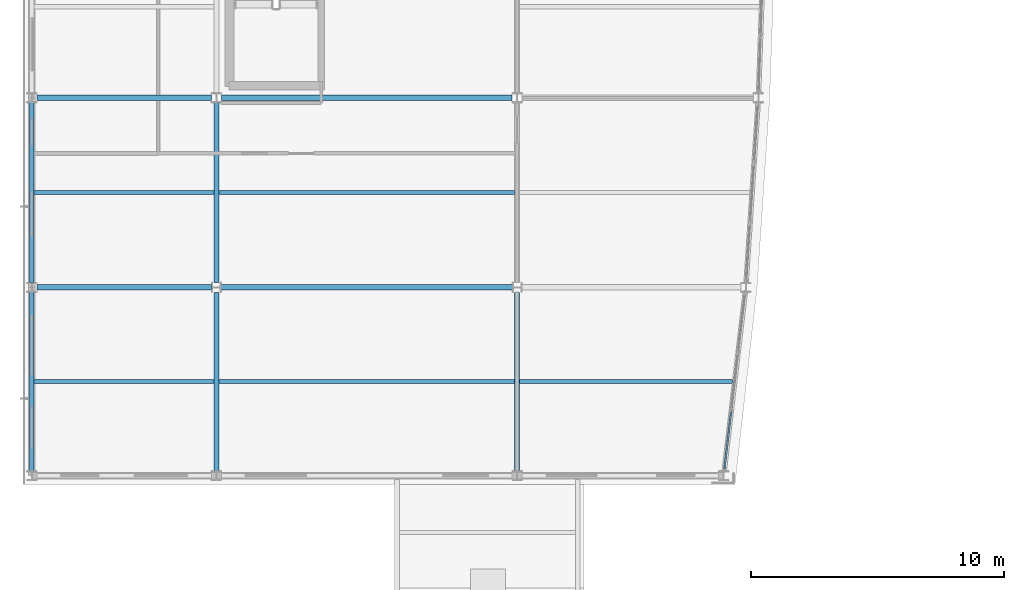
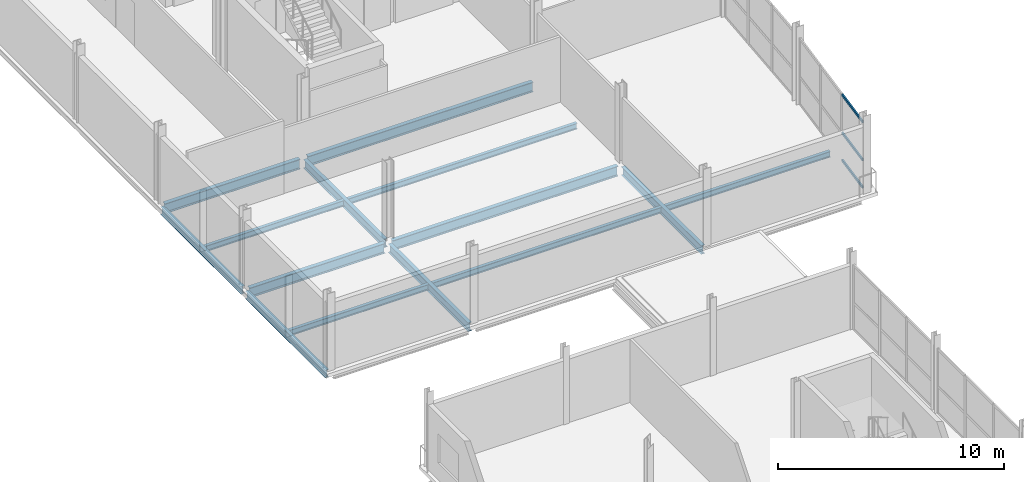
# One storey, part 15 of 65: 14 beams, 3 members, 1 element without a shape of its own.
"""IFC4 building model written with IfcOpenShell, lengths in metres."""

from ifc_helpers import new_model, si_unit, direction, frame, origin, origin_2d, place, context, subcontext, project, spatial, hollow_rectangle, i_section, extrude, material, layer, layer_set, material_profile, profile_set, type_object, element, aggregate, save


model = new_model("IFC4")

# Units and contexts
model_context = context("Model", 3, precision=1e-05, world=origin(), true_north=direction((0.0, 1.0)))
body_context = subcontext(model_context, "Body", "Model", "MODEL_VIEW")
ifc_project = project(units=[si_unit("LENGTHUNIT", "METRE"), si_unit("AREAUNIT", "SQUARE_METRE"), si_unit("VOLUMEUNIT", "CUBIC_METRE"), si_unit("PLANEANGLEUNIT", "RADIAN"), si_unit("MASSUNIT", "GRAM", prefix="KILO")], contexts=[model_context])

# Site, building, storey
site_placement = place(None, origin())
site = spatial("IfcSite", under=ifc_project, at=site_placement, CompositionType="ELEMENT")
building_placement = place(site_placement, origin())
building = spatial("IfcBuilding", under=site, at=building_placement, Name="Quillay Park Conservatory", CompositionType="ELEMENT")
storey_placement = place(building_placement, frame((0.0, 0.0, 14.10009765625)))
storey = spatial("IfcBuildingStorey", under=building, at=storey_placement, Name="L03", CompositionType="ELEMENT", Elevation=14.10009765625)

# Beams
ifc_material_1 = material(Name="Steel ASTM A992 Grade 50", Category="steel")
ifc_material_profile_1 = material_profile(ifc_material_1, i_section(OverallWidth=0.166015625, OverallDepth=0.31298828125, WebThickness=0.006591796875, FlangeThickness=0.01123046875, FilletRadius=0.010009765625, at=origin_2d()), Name="W310x45")
ifc_profile_set_1 = profile_set([ifc_material_profile_1], Name="Steel ASTM A992 Grade 50")
beam_type_1 = type_object("IfcBeamType", Name="COMPOSITE FLOOR JOIST W310 X45", PredefinedType="JOIST", material=ifc_profile_set_1)
beam_1_placement = place(storey_placement, frame((0.639892578125, 66.77490234375, -0.341552734375), z_axis=(1.0, 0.0, 0.0), x_axis=(0.0, 1.0, 0.0)))
element("IfcBeam", 1, at=beam_1_placement, inside=storey, type_object=beam_type_1, Name="L03 beam BM-J-0270", PredefinedType="JOIST", context=body_context, shape_type="SweptSolid", body=[
    extrude(i_section(OverallWidth=0.166015625, OverallDepth=0.31298828125, WebThickness=0.006591796875, FlangeThickness=0.01123046875, FilletRadius=0.010009765625, at=origin_2d()), origin(), (0.0, 0.0, 1.0), 7.114013671875),
])
beam_2_placement = place(storey_placement, frame((19.845947265625, 66.77490234375, -0.341552734375), z_axis=(1.0, 0.0, 0.0), x_axis=(0.0, 1.0, 0.0)))
element("IfcBeam", 2, at=beam_2_placement, inside=storey, type_object=beam_type_1, Name="L03 beam BM-J-0271", PredefinedType="JOIST", context=body_context, shape_type="SweptSolid", body=[
    extrude(i_section(OverallWidth=0.166015625, OverallDepth=0.31298828125, WebThickness=0.006591796875, FlangeThickness=0.01123046875, FilletRadius=0.010009765625, at=origin_2d()), origin(), (0.0, 0.0, 1.0), 8.426513671875),
])
beam_3_placement = place(storey_placement, frame((7.946044921875, 66.77490234375, -0.341552734375), z_axis=(1.0, 0.0, 0.0), x_axis=(0.0, 1.0, 0.0)))
element("IfcBeam", 3, at=beam_3_placement, inside=storey, type_object=beam_type_1, Name="L03 beam BM-J-0272", PredefinedType="JOIST", context=body_context, shape_type="SweptSolid", body=[
    extrude(i_section(OverallWidth=0.166015625, OverallDepth=0.31298828125, WebThickness=0.006591796875, FlangeThickness=0.01123046875, FilletRadius=0.010009765625, at=origin_2d()), origin(), (0.0, 0.0, 1.0), 11.7080078125),
])
beam_4_placement = place(storey_placement, frame((0.639892578125, 74.25, -0.341552734375), z_axis=(1.0, 0.0, 0.0), x_axis=(0.0, 1.0, 0.0)))
element("IfcBeam", 4, at=beam_4_placement, inside=storey, type_object=beam_type_1, Name="L03 beam BM-J-0277", PredefinedType="JOIST", context=body_context, shape_type="SweptSolid", body=[
    extrude(i_section(OverallWidth=0.166015625, OverallDepth=0.31298828125, WebThickness=0.006591796875, FlangeThickness=0.01123046875, FilletRadius=0.010009765625, at=origin_2d()), origin(), (0.0, 0.0, 1.0), 7.114013671875),
])
beam_5_placement = place(storey_placement, frame((7.946044921875, 74.25, -0.341552734375), z_axis=(1.0, 0.0, 0.0), x_axis=(0.0, 1.0, 0.0)))
element("IfcBeam", 5, at=beam_5_placement, inside=storey, type_object=beam_type_1, Name="L03 beam BM-J-0279", PredefinedType="JOIST", context=body_context, shape_type="SweptSolid", body=[
    extrude(i_section(OverallWidth=0.166015625, OverallDepth=0.31298828125, WebThickness=0.006591796875, FlangeThickness=0.01123046875, FilletRadius=0.010009765625, at=origin_2d()), origin(), (0.0, 0.0, 1.0), 11.7080078125),
])

# Curtain wall, members
ifc_material_2 = material(Name="Thermally Broken Anodised Aluminium 6063-T6", Category="aluminium")
ifc_layer = layer(ifc_material_2, 0.179931640625)
ifc_layer_set = layer_set([ifc_layer], Name="UNITISED CURTAIN WALL TOWER (Thermally Broken Anodised Aluminium 6063-T6)")
curtain_wall_type = type_object("IfcCurtainWallType", Name="UNITISED CURTAIN WALL TOWER", PredefinedType="USERDEFINED", material=ifc_layer_set)
curtain_wall_placement = place(storey_placement, origin())
curtain_wall = element("IfcCurtainWall", 6, at=curtain_wall_placement, inside=storey, type_object=curtain_wall_type, Name="L03 Unitised Curtain Wall 028", ObjectType="UNITISED CURTAIN WALL", PredefinedType="USERDEFINED")
ifc_material_3 = material(Name="Thermally Broken Anodised Aluminium 6063-T6", Category="aluminium")
ifc_material_profile_2 = material_profile(ifc_material_3, hollow_rectangle(XDim=0.070068359375, YDim=0.1298828125, WallThickness=0.003173828125, at=origin_2d()), Name="AL70x130x3.2")
ifc_profile_set_2 = profile_set([ifc_material_profile_2], Name="Thermally Broken Anodised Aluminium 6063-T6")
member_type = type_object("IfcMemberType", Name="CURTAIN WALL TRANSOM 70 X130", PredefinedType="USERDEFINED", material=ifc_profile_set_2)
member_1_placement = place(storey_placement, frame((28.220458984375, 65.564697265625, 0.034912109375), z_axis=(-0.116672168054, -0.993170481439, 0.0), x_axis=(0.993170481439, -0.116672168054, 0.0)))
member_1 = element("IfcMember", 7, at=member_1_placement, type_object=member_type, Name="CW-T1 transom 3.1", ObjectType="TRANSOM", PredefinedType="USERDEFINED", context=body_context, shape_type="SweptSolid", body=[
    extrude(hollow_rectangle(XDim=0.070068359375, YDim=0.1298828125, WallThickness=0.003173828125, at=origin_2d()), origin(), (0.0, 0.0, 1.0), 2.261962890625),
])
member_2_placement = place(storey_placement, frame((28.220458984375, 65.564697265625, 1.511474609375), z_axis=(-0.116672168054, -0.993170481439, 0.0), x_axis=(0.993170481439, -0.116672168054, 0.0)))
member_2 = element("IfcMember", 8, at=member_2_placement, type_object=member_type, Name="CW-T1 transom 3.2", ObjectType="TRANSOM", PredefinedType="USERDEFINED", context=body_context, shape_type="SweptSolid", body=[
    extrude(hollow_rectangle(XDim=0.070068359375, YDim=0.1298828125, WallThickness=0.003173828125, at=origin_2d()), origin(), (0.0, 0.0, 1.0), 2.261962890625),
])
member_3_placement = place(storey_placement, frame((28.220458984375, 65.564697265625, 3.56396484375), z_axis=(-0.116672168054, -0.993170481439, 0.0), x_axis=(0.993170481439, -0.116672168054, 0.0)))
member_3 = element("IfcMember", 9, at=member_3_placement, type_object=member_type, Name="CW-T1 transom 3.3", ObjectType="TRANSOM", PredefinedType="USERDEFINED", context=body_context, shape_type="SweptSolid", body=[
    extrude(hollow_rectangle(XDim=0.070068359375, YDim=0.1298828125, WallThickness=0.003173828125, at=origin_2d()), origin(), (0.0, 0.0, 1.0), 2.261962890625),
])
aggregate(curtain_wall, [member_1, member_2, member_3])

# Beams
ifc_material_4 = material(Name="Steel ASTM A992 Grade 50", Category="steel")
ifc_material_profile_3 = material_profile(ifc_material_4, i_section(OverallWidth=0.179931640625, OverallDepth=0.4130859375, WebThickness=0.009765625, FlangeThickness=0.01611328125, FilletRadius=0.011962890625, at=origin_2d()), Name="W410x74")
ifc_profile_set_3 = profile_set([ifc_material_profile_3], Name="Steel ASTM A992 Grade 50")
beam_type_2 = type_object("IfcBeamType", Name="PERIMETER SPANDREL BEAM W410 X74", PredefinedType="SPANDREL", material=ifc_profile_set_3)
beam_6_placement = place(storey_placement, frame((0.550048828125, 63.239990234375, -0.3916015625), z_axis=(0.0, 1.0, 0.0), x_axis=(-1.0, 0.0, 0.0)))
element("IfcBeam", 10, at=beam_6_placement, inside=storey, type_object=beam_type_2, Name="L03 beam BM-SPW-0266", PredefinedType="SPANDREL", context=body_context, shape_type="SweptSolid", body=[
    extrude(i_section(OverallWidth=0.179931640625, OverallDepth=0.4130859375, WebThickness=0.009765625, FlangeThickness=0.01611328125, FilletRadius=0.011962890625, at=origin_2d()), origin(), (0.0, 0.0, 1.0), 7.070068359375),
])
beam_7_placement = place(storey_placement, frame((0.550048828125, 70.68994140625, -0.3916015625), z_axis=(0.0, 1.0, 0.0), x_axis=(-1.0, 0.0, 0.0)))
element("IfcBeam", 11, at=beam_7_placement, inside=storey, type_object=beam_type_2, Name="L03 beam BM-SPW-0273", PredefinedType="SPANDREL", context=body_context, shape_type="SweptSolid", body=[
    extrude(i_section(OverallWidth=0.179931640625, OverallDepth=0.4130859375, WebThickness=0.009765625, FlangeThickness=0.01611328125, FilletRadius=0.011962890625, at=origin_2d()), origin(), (0.0, 0.0, 1.0), 7.1201171875),
])
ifc_material_5 = material(Name="Steel ASTM A992 Grade 50", Category="steel")
ifc_material_profile_4 = material_profile(ifc_material_5, i_section(OverallWidth=0.19189453125, OverallDepth=0.462890625, WebThickness=0.010498046875, FlangeThickness=0.017578125, FilletRadius=0.012939453125, at=origin_2d()), Name="W460x89")
ifc_profile_set_4 = profile_set([ifc_material_profile_4], Name="Steel ASTM A992 Grade 50")
beam_type_3 = type_object("IfcBeamType", Name="PRIMARY FLOOR GIRDER W460 X89", PredefinedType="BEAM", material=ifc_profile_set_4)
for number, where, z_axis, x_axis, name in (
    (12, (7.85009765625, 63.239990234375, -0.41650390625), (0.0, 1.0, 0.0), (-1.0, 0.0, 0.0), "L03 beam BM-GNS-0268"),
    (13, (19.75, 63.239990234375, -0.41650390625), (0.0, 1.0, 0.0), (-1.0, 0.0, 0.0), "L03 beam BM-GNS-0269"),
):
    element("IfcBeam", number, at=place(storey_placement, frame(where, z_axis=z_axis, x_axis=x_axis)), inside=storey, type_object=beam_type_3, Name=name, PredefinedType="BEAM", context=body_context, shape_type="SweptSolid", body=[
        extrude(i_section(OverallWidth=0.19189453125, OverallDepth=0.462890625, WebThickness=0.010498046875, FlangeThickness=0.017578125, FilletRadius=0.012939453125, at=origin_2d()), origin(), (0.0, 0.0, 1.0), 7.0625),
    ])
beam_8_placement = place(storey_placement, frame((7.85009765625, 70.697509765625, -0.41650390625), z_axis=(0.0, 1.0, 0.0), x_axis=(-1.0, 0.0, 0.0)))
element("IfcBeam", 14, at=beam_8_placement, inside=storey, type_object=beam_type_3, Name="L03 beam BM-GNS-0275", PredefinedType="BEAM", context=body_context, shape_type="SweptSolid", body=[
    extrude(i_section(OverallWidth=0.19189453125, OverallDepth=0.462890625, WebThickness=0.010498046875, FlangeThickness=0.017578125, FilletRadius=0.012939453125, at=origin_2d()), origin(), (0.0, 0.0, 1.0), 7.112548828125),
])
ifc_material_6 = material(Name="Steel ASTM A992 Grade 50", Category="steel")
ifc_material_profile_5 = material_profile(ifc_material_6, i_section(OverallWidth=0.2109375, OverallDepth=0.5390625, WebThickness=0.01171875, FlangeThickness=0.018798828125, FilletRadius=0.013916015625, at=origin_2d()), Name="W530x109")
ifc_profile_set_5 = profile_set([ifc_material_profile_5], Name="Steel ASTM A992 Grade 50")
beam_type_4 = type_object("IfcBeamType", Name="PRIMARY FLOOR GIRDER W530 X109", PredefinedType="BEAM", material=ifc_profile_set_5)
beam_9_placement = place(storey_placement, frame((0.74755859375, 70.5, -0.45458984375), z_axis=(1.0, 0.0, 0.0), x_axis=(0.0, 1.0, 0.0)))
element("IfcBeam", 15, at=beam_9_placement, inside=storey, type_object=beam_type_4, Name="L03 beam BM-G-0247", PredefinedType="BEAM", context=body_context, shape_type="SweptSolid", body=[
    extrude(i_section(OverallWidth=0.2109375, OverallDepth=0.5390625, WebThickness=0.01171875, FlangeThickness=0.018798828125, FilletRadius=0.013916015625, at=origin_2d()), origin(), (0.0, 0.0, 1.0), 6.912353515625),
])
beam_10_placement = place(storey_placement, frame((8.0400390625, 70.5, -0.45458984375), z_axis=(1.0, 0.0, 0.0), x_axis=(0.0, 1.0, 0.0)))
element("IfcBeam", 16, at=beam_10_placement, inside=storey, type_object=beam_type_4, Name="L03 beam BM-G-0248", PredefinedType="BEAM", context=body_context, shape_type="SweptSolid", body=[
    extrude(i_section(OverallWidth=0.2109375, OverallDepth=0.5390625, WebThickness=0.01171875, FlangeThickness=0.018798828125, FilletRadius=0.013916015625, at=origin_2d()), origin(), (0.0, 0.0, 1.0), 11.52001953125),
])
beam_11_placement = place(storey_placement, frame((0.74755859375, 78.0, -0.45458984375), z_axis=(1.0, 0.0, 0.0), x_axis=(0.0, 1.0, 0.0)))
element("IfcBeam", 17, at=beam_11_placement, inside=storey, type_object=beam_type_4, Name="L03 beam BM-G-0250", PredefinedType="BEAM", context=body_context, shape_type="SweptSolid", body=[
    extrude(i_section(OverallWidth=0.2109375, OverallDepth=0.5390625, WebThickness=0.01171875, FlangeThickness=0.018798828125, FilletRadius=0.013916015625, at=origin_2d()), origin(), (0.0, 0.0, 1.0), 6.905029296875),
])
beam_12_placement = place(storey_placement, frame((8.047607421875, 78.0, -0.45458984375), z_axis=(1.0, 0.0, 0.0), x_axis=(0.0, 1.0, 0.0)))
element("IfcBeam", 18, at=beam_12_placement, inside=storey, type_object=beam_type_4, Name="L03 beam BM-G-0251", PredefinedType="BEAM", context=body_context, shape_type="SweptSolid", body=[
    extrude(i_section(OverallWidth=0.2109375, OverallDepth=0.5390625, WebThickness=0.01171875, FlangeThickness=0.018798828125, FilletRadius=0.013916015625, at=origin_2d()), origin(), (0.0, 0.0, 1.0), 11.5048828125),
])

save(model, "model.ifc")
